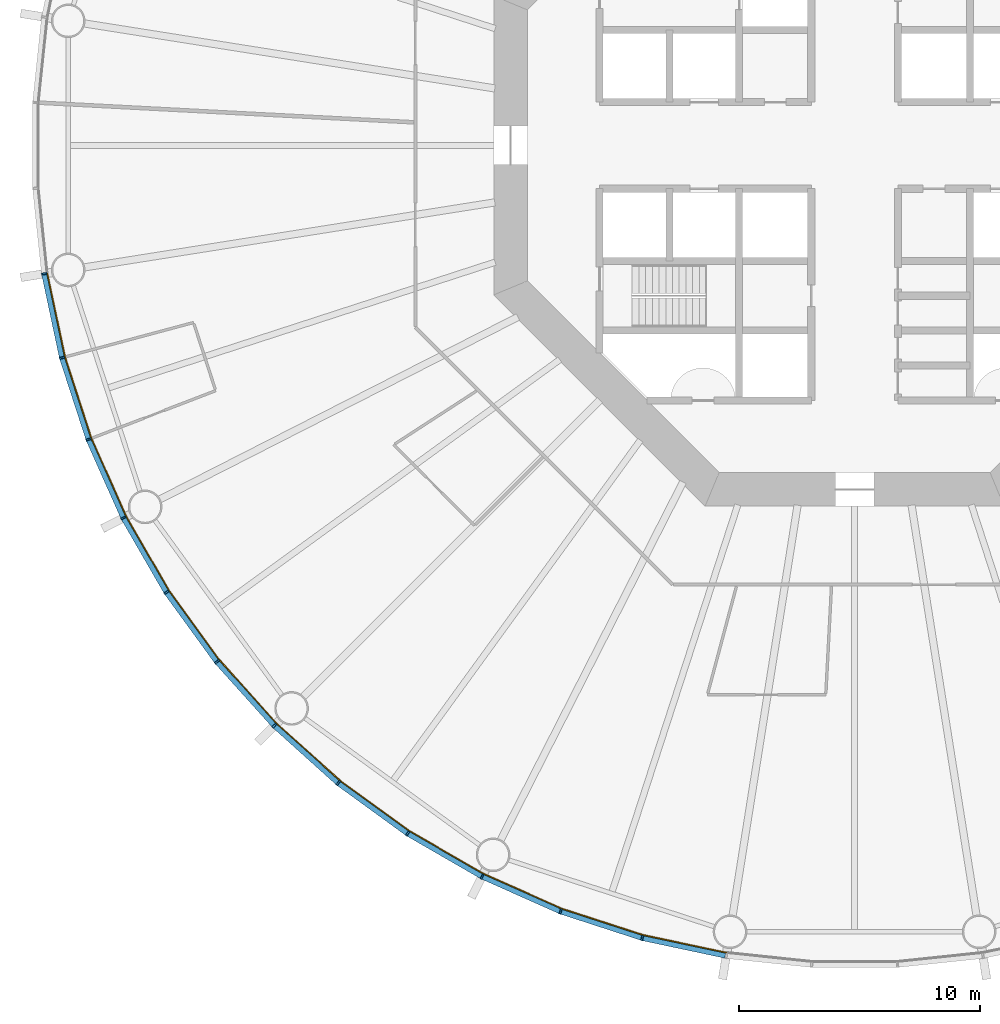
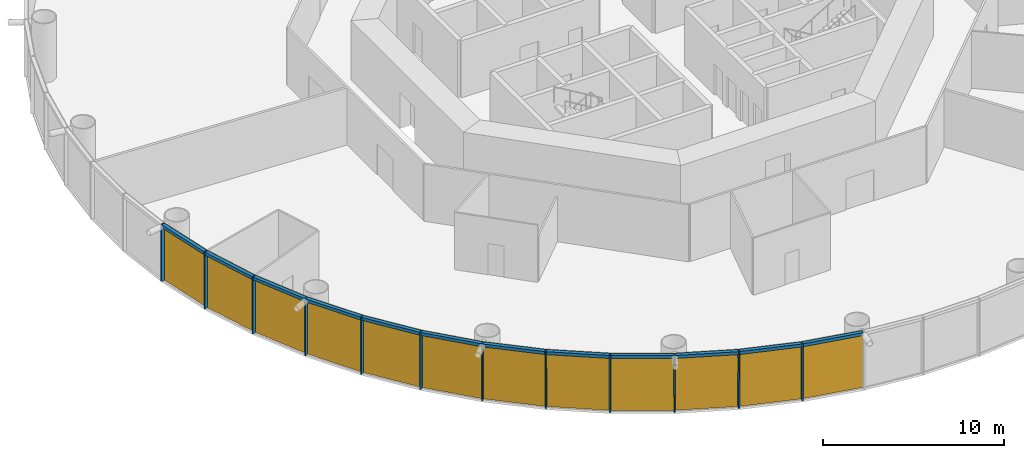
# One storey, part 7 of 13: 24 members, 4 curtain walls.
"""IFC4 building model written with IfcOpenShell, lengths in metres."""

from ifc_helpers import new_model, si_unit, direction, frame, origin, origin_2d, place, context, subcontext, project, spatial, polyline, rectangle, outline, extrude, material, layer, layer_set, material_profile, profile_set, type_object, element, aggregate, save


model = new_model("IFC4")

# Units and contexts
model_context = context("Model", 3, precision=1e-05, world=origin(), true_north=direction((0.0, 1.0)))
body_context = subcontext(model_context, "Body", "Model", "MODEL_VIEW")
ifc_project = project(units=[si_unit("LENGTHUNIT", "METRE"), si_unit("AREAUNIT", "SQUARE_METRE"), si_unit("VOLUMEUNIT", "CUBIC_METRE"), si_unit("PLANEANGLEUNIT", "RADIAN"), si_unit("MASSUNIT", "GRAM", prefix="KILO")], contexts=[model_context])

# Member
ifc_material_1 = material(Name="Anodised aluminium", Category="aluminium")
ifc_material_profile_1 = material_profile(ifc_material_1, rectangle(XDim=0.074951171875, YDim=0.219970703125, at=origin_2d()), Name="Mullion 75 x 220 mm anodised aluminium")
ifc_profile_set_1 = profile_set([ifc_material_profile_1], Name="Anodised aluminium")
member_type_1 = type_object("IfcMemberType", Name="Mullion 75 x 220 mm anodised aluminium", PredefinedType="MULLION", material=ifc_profile_set_1)
site_placement = place(None, origin())
building_placement = place(site_placement, origin())
storey_placement = place(building_placement, frame((0.0, 0.0, 50.0)))
member_1_placement = place(storey_placement, frame((56.31005859375, 74.6640625, 0.0), z_axis=(0.0, 0.0, 1.0), x_axis=(0.15643446504, -0.987688340595, 0.0)))
member_1 = element("IfcMember", 1, at=member_1_placement, type_object=member_type_1, Name="MULLION L10-30", PredefinedType="MULLION", context=body_context, shape_type="SweptSolid", body=[
    extrude(rectangle(XDim=0.074951171875, YDim=0.219970703125, at=origin_2d()), origin(), (0.0, 0.0, 1.0), 3.85009765625),
])

member_2_placement = place(storey_placement, frame((57.05224609375, 71.171630859375, 0.0), z_axis=(0.0, 0.0, 1.0), x_axis=(0.258819045103, -0.965925826289, 0.0)))
member_2 = element("IfcMember", 2, at=member_2_placement, type_object=member_type_1, Name="MULLION L10-31", PredefinedType="MULLION", context=body_context, shape_type="SweptSolid", body=[
    extrude(rectangle(XDim=0.074951171875, YDim=0.219970703125, at=origin_2d()), origin(), (0.0, 0.0, 1.0), 3.85009765625),
])

member_3_placement = place(storey_placement, frame((58.155517578125, 67.776123046875, 0.0), z_axis=(0.0, 0.0, 1.0), x_axis=(0.358367949545, -0.933580426497, 0.0)))
member_3 = element("IfcMember", 3, at=member_3_placement, type_object=member_type_1, Name="MULLION L10-32", PredefinedType="MULLION", context=body_context, shape_type="SweptSolid", body=[
    extrude(rectangle(XDim=0.074951171875, YDim=0.219970703125, at=origin_2d()), origin(), (0.0, 0.0, 1.0), 3.85009765625),
])

member_4_placement = place(storey_placement, frame((59.607666015625, 64.514404296875, 0.0), z_axis=(0.0, 0.0, 1.0), x_axis=(0.45399049974, -0.891006524188, 0.0)))
member_4 = element("IfcMember", 4, at=member_4_placement, type_object=member_type_1, Name="MULLION L10-33", PredefinedType="MULLION", context=body_context, shape_type="SweptSolid", body=[
    extrude(rectangle(XDim=0.074951171875, YDim=0.219970703125, at=origin_2d()), origin(), (0.0, 0.0, 1.0), 3.85009765625),
])

member_5_placement = place(storey_placement, frame((61.39306640625, 61.42236328125, 0.0), z_axis=(0.0, 0.0, 1.0), x_axis=(0.544639035015, -0.838670567945, 0.0)))
member_5 = element("IfcMember", 5, at=member_5_placement, type_object=member_type_1, Name="MULLION L10-34", PredefinedType="MULLION", context=body_context, shape_type="SweptSolid", body=[
    extrude(rectangle(XDim=0.074951171875, YDim=0.219970703125, at=origin_2d()), origin(), (0.0, 0.0, 1.0), 3.85009765625),
])

member_6_placement = place(storey_placement, frame((63.491455078125, 58.533935546875, 0.0), z_axis=(0.0, 0.0, 1.0), x_axis=(0.62932039105, -0.777145961457, 0.0)))
member_6 = element("IfcMember", 6, at=member_6_placement, type_object=member_type_1, Name="MULLION L10-35", PredefinedType="MULLION", context=body_context, shape_type="SweptSolid", body=[
    extrude(rectangle(XDim=0.074951171875, YDim=0.219970703125, at=origin_2d()), origin(), (0.0, 0.0, 1.0), 3.85009765625),
])

member_7_placement = place(storey_placement, frame((65.880615234375, 55.880615234375, 0.0), z_axis=(0.0, 0.0, 1.0), x_axis=(0.707106781187, -0.707106781187, 0.0)))
member_7 = element("IfcMember", 7, at=member_7_placement, type_object=member_type_1, Name="MULLION L10-36", PredefinedType="MULLION", context=body_context, shape_type="SweptSolid", body=[
    extrude(rectangle(XDim=0.074951171875, YDim=0.219970703125, at=origin_2d()), origin(), (0.0, 0.0, 1.0), 3.85009765625),
])

member_8_placement = place(storey_placement, frame((68.533935546875, 53.491455078125, 0.0), z_axis=(0.0, 0.0, 1.0), x_axis=(0.777145961457, -0.62932039105, 0.0)))
member_8 = element("IfcMember", 8, at=member_8_placement, type_object=member_type_1, Name="MULLION L10-37", PredefinedType="MULLION", context=body_context, shape_type="SweptSolid", body=[
    extrude(rectangle(XDim=0.074951171875, YDim=0.219970703125, at=origin_2d()), origin(), (0.0, 0.0, 1.0), 3.85009765625),
])

member_9_placement = place(storey_placement, frame((71.42236328125, 51.39306640625, 0.0), z_axis=(0.0, 0.0, 1.0), x_axis=(0.838670567945, -0.544639035015, 0.0)))
member_9 = element("IfcMember", 9, at=member_9_placement, type_object=member_type_1, Name="MULLION L10-38", PredefinedType="MULLION", context=body_context, shape_type="SweptSolid", body=[
    extrude(rectangle(XDim=0.074951171875, YDim=0.219970703125, at=origin_2d()), origin(), (0.0, 0.0, 1.0), 3.85009765625),
])

member_10_placement = place(storey_placement, frame((74.514404296875, 49.607666015625, 0.0), z_axis=(0.0, 0.0, 1.0), x_axis=(0.891006524188, -0.45399049974, 0.0)))
member_10 = element("IfcMember", 10, at=member_10_placement, type_object=member_type_1, Name="MULLION L10-39", PredefinedType="MULLION", context=body_context, shape_type="SweptSolid", body=[
    extrude(rectangle(XDim=0.074951171875, YDim=0.219970703125, at=origin_2d()), origin(), (0.0, 0.0, 1.0), 3.85009765625),
])

member_11_placement = place(storey_placement, frame((77.776123046875, 48.155517578125, 0.0), z_axis=(0.0, 0.0, 1.0), x_axis=(0.933580426497, -0.358367949545, 0.0)))
member_11 = element("IfcMember", 11, at=member_11_placement, type_object=member_type_1, Name="MULLION L10-40", PredefinedType="MULLION", context=body_context, shape_type="SweptSolid", body=[
    extrude(rectangle(XDim=0.074951171875, YDim=0.219970703125, at=origin_2d()), origin(), (0.0, 0.0, 1.0), 3.85009765625),
])

member_12_placement = place(storey_placement, frame((81.171630859375, 47.05224609375, 0.0), z_axis=(0.0, 0.0, 1.0), x_axis=(0.965925826289, -0.258819045103, 0.0)))
member_12 = element("IfcMember", 12, at=member_12_placement, type_object=member_type_1, Name="MULLION L10-41", PredefinedType="MULLION", context=body_context, shape_type="SweptSolid", body=[
    extrude(rectangle(XDim=0.074951171875, YDim=0.219970703125, at=origin_2d()), origin(), (0.0, 0.0, 1.0), 3.85009765625),
])

ifc_material_2 = material(Name="Anodised aluminium", Category="aluminium")
ifc_material_profile_2 = material_profile(ifc_material_2, rectangle(XDim=0.219970703125, YDim=0.199951171875, at=origin_2d()), Name="Transom 200 x 220 mm anodised aluminium")
ifc_profile_set_2 = profile_set([ifc_material_profile_2], Name="Anodised aluminium")
member_type_2 = type_object("IfcMemberType", Name="Transom 200 x 220 mm anodised aluminium", PredefinedType="USERDEFINED", material=ifc_profile_set_2)
member_13_placement = place(storey_placement, frame((56.31884765625, 74.62158203125, 3.75), z_axis=(0.207920776701, -0.978145669426, 0.0), x_axis=(0.978145669426, 0.207920776701, 0.0)))
member_13 = element("IfcMember", 13, at=member_13_placement, type_object=member_type_2, Name="TRANSOM L10-30", ObjectType="TRANSOM", PredefinedType="USERDEFINED", context=body_context, shape_type="SweptSolid", body=[
    extrude(rectangle(XDim=0.219970703125, YDim=0.199951171875, at=origin_2d()), origin(), (0.0, 0.0, 1.0), 3.48388671875),
])

member_14_placement = place(storey_placement, frame((57.0654296875, 71.130615234375, 3.75), z_axis=(0.309029029702, -0.951052605696, 0.0), x_axis=(0.951052605696, 0.309029029702, 0.0)))
member_14 = element("IfcMember", 14, at=member_14_placement, type_object=member_type_2, Name="TRANSOM L10-31", ObjectType="TRANSOM", PredefinedType="USERDEFINED", context=body_context, shape_type="SweptSolid", body=[
    extrude(rectangle(XDim=0.219970703125, YDim=0.199951171875, at=origin_2d()), origin(), (0.0, 0.0, 1.0), 3.484130859375),
])

member_15_placement = place(storey_placement, frame((58.173095703125, 67.736572265625, 3.75), z_axis=(0.406736576304, -0.913545487371, 0.0), x_axis=(0.913545487371, 0.406736576304, 0.0)))
member_15 = element("IfcMember", 15, at=member_15_placement, type_object=member_type_2, Name="TRANSOM L10-32", ObjectType="TRANSOM", PredefinedType="USERDEFINED", context=body_context, shape_type="SweptSolid", body=[
    extrude(rectangle(XDim=0.219970703125, YDim=0.199951171875, at=origin_2d()), origin(), (0.0, 0.0, 1.0), 3.48388671875),
])

member_16_placement = place(storey_placement, frame((59.629150390625, 64.476806640625, 3.75), z_axis=(0.500005538244, -0.866022206254, 0.0), x_axis=(0.866022206254, 0.500005538244, 0.0)))
member_16 = element("IfcMember", 16, at=member_16_placement, type_object=member_type_2, Name="TRANSOM L10-33", ObjectType="TRANSOM", PredefinedType="USERDEFINED", context=body_context, shape_type="SweptSolid", body=[
    extrude(rectangle(XDim=0.219970703125, YDim=0.199951171875, at=origin_2d()), origin(), (0.0, 0.0, 1.0), 3.48388671875),
])

member_17_placement = place(storey_placement, frame((61.418212890625, 61.38720703125, 3.75), z_axis=(0.587821627006, -0.80899056535, 0.0), x_axis=(0.80899056535, 0.587821627006, 0.0)))
member_17 = element("IfcMember", 17, at=member_17_placement, type_object=member_type_2, Name="TRANSOM L10-34", ObjectType="TRANSOM", PredefinedType="USERDEFINED", context=body_context, shape_type="SweptSolid", body=[
    extrude(rectangle(XDim=0.219970703125, YDim=0.199951171875, at=origin_2d()), origin(), (0.0, 0.0, 1.0), 3.48388671875),
])

member_18_placement = place(storey_placement, frame((63.520263671875, 58.501708984375, 3.75), z_axis=(0.669138930974, -0.743137329876, 0.0), x_axis=(0.743137329876, 0.669138930974, 0.0)))
member_18 = element("IfcMember", 18, at=member_18_placement, type_object=member_type_2, Name="TRANSOM L10-35", ObjectType="TRANSOM", PredefinedType="USERDEFINED", context=body_context, shape_type="SweptSolid", body=[
    extrude(rectangle(XDim=0.219970703125, YDim=0.199951171875, at=origin_2d()), origin(), (0.0, 0.0, 1.0), 3.484130859375),
])

member_19_placement = place(storey_placement, frame((65.91259765625, 55.8515625, 3.75), z_axis=(0.743137329876, -0.669138930974, 0.0), x_axis=(0.669138930974, 0.743137329876, 0.0)))
member_19 = element("IfcMember", 19, at=member_19_placement, type_object=member_type_2, Name="TRANSOM L10-36", ObjectType="TRANSOM", PredefinedType="USERDEFINED", context=body_context, shape_type="SweptSolid", body=[
    extrude(rectangle(XDim=0.219970703125, YDim=0.199951171875, at=origin_2d()), origin(), (0.0, 0.0, 1.0), 3.484130859375),
])

member_20_placement = place(storey_placement, frame((68.56884765625, 53.466064453125, 3.75), z_axis=(0.80899056535, -0.587821627006, 0.0), x_axis=(0.587821627006, 0.80899056535, 0.0)))
member_20 = element("IfcMember", 20, at=member_20_placement, type_object=member_type_2, Name="TRANSOM L10-37", ObjectType="TRANSOM", PredefinedType="USERDEFINED", context=body_context, shape_type="SweptSolid", body=[
    extrude(rectangle(XDim=0.219970703125, YDim=0.199951171875, at=origin_2d()), origin(), (0.0, 0.0, 1.0), 3.48388671875),
])

member_21_placement = place(storey_placement, frame((71.459716796875, 51.37109375, 3.75), z_axis=(0.866022206254, -0.500005538244, 0.0), x_axis=(0.500005538244, 0.866022206254, 0.0)))
member_21 = element("IfcMember", 21, at=member_21_placement, type_object=member_type_2, Name="TRANSOM L10-38", ObjectType="TRANSOM", PredefinedType="USERDEFINED", context=body_context, shape_type="SweptSolid", body=[
    extrude(rectangle(XDim=0.219970703125, YDim=0.199951171875, at=origin_2d()), origin(), (0.0, 0.0, 1.0), 3.48388671875),
])

member_22_placement = place(storey_placement, frame((74.553955078125, 49.590087890625, 3.75), z_axis=(0.913545487371, -0.406736576304, 0.0), x_axis=(0.406736576304, 0.913545487371, 0.0)))
member_22 = element("IfcMember", 22, at=member_22_placement, type_object=member_type_2, Name="TRANSOM L10-39", ObjectType="TRANSOM", PredefinedType="USERDEFINED", context=body_context, shape_type="SweptSolid", body=[
    extrude(rectangle(XDim=0.219970703125, YDim=0.199951171875, at=origin_2d()), origin(), (0.0, 0.0, 1.0), 3.48388671875),
])

member_23_placement = place(storey_placement, frame((77.817138671875, 48.14208984375, 3.75), z_axis=(0.951052605696, -0.309029029702, 0.0), x_axis=(0.309029029702, 0.951052605696, 0.0)))
member_23 = element("IfcMember", 23, at=member_23_placement, type_object=member_type_2, Name="TRANSOM L10-40", ObjectType="TRANSOM", PredefinedType="USERDEFINED", context=body_context, shape_type="SweptSolid", body=[
    extrude(rectangle(XDim=0.219970703125, YDim=0.199951171875, at=origin_2d()), origin(), (0.0, 0.0, 1.0), 3.484130859375),
])

member_24_placement = place(storey_placement, frame((81.2138671875, 47.043212890625, 3.75), z_axis=(0.978145669426, -0.207920776701, 0.0), x_axis=(0.207920776701, 0.978145669426, 0.0)))
member_24 = element("IfcMember", 24, at=member_24_placement, type_object=member_type_2, Name="TRANSOM L10-41", ObjectType="TRANSOM", PredefinedType="USERDEFINED", context=body_context, shape_type="SweptSolid", body=[
    extrude(rectangle(XDim=0.219970703125, YDim=0.199951171875, at=origin_2d()), origin(), (0.0, 0.0, 1.0), 3.48388671875),
])

# Site, building, storey
site = spatial("IfcSite", under=ifc_project, at=site_placement, CompositionType="ELEMENT")
building = spatial("IfcBuilding", under=site, at=building_placement, Name="Entoto Ring Tower", CompositionType="ELEMENT")
storey = spatial("IfcBuildingStorey", under=building, at=storey_placement, Name="L10", CompositionType="ELEMENT", Elevation=50.0)

# Curtain wall
ifc_material_3 = material(Name="Clear low-iron glass", Category="glass")
ifc_layer = layer(ifc_material_3, 0.0400390625)
ifc_layer_set = layer_set([ifc_layer], Name="Clear low-iron glass")
curtain_wall_type = type_object("IfcCurtainWallType", Name="Curtain wall system CW1 glazing 40 mm", PredefinedType="NOTDEFINED", material=ifc_layer_set)
curtain_wall_1_placement = place(storey_placement, origin())
curtain_wall_1 = element("IfcCurtainWall", 25, at=curtain_wall_1_placement, inside=storey, type_object=curtain_wall_type, Name="CW1 L10-11", PredefinedType="NOTDEFINED", context=body_context, shape_type="SweptSolid", body=[
    extrude(outline(polyline([(56.418701171875, 74.68115234375), (57.158447265625, 71.2001953125), (58.25830078125, 67.8154296875), (59.705810546875, 64.564208984375), (59.741455078125, 64.58251953125), (58.295654296875, 67.829833984375), (57.197265625, 71.21044921875), (56.458251953125, 74.6875), (56.418701171875, 74.68115234375)])), origin(), (0.0, 0.0, 1.0), 3.85009765625),
])

aggregate(curtain_wall_1, [member_1, member_2, member_3, member_13, member_14, member_15])

curtain_wall_2_placement = place(storey_placement, origin())
curtain_wall_2 = element("IfcCurtainWall", 26, at=curtain_wall_2_placement, inside=storey, type_object=curtain_wall_type, Name="CW1 L10-12", PredefinedType="NOTDEFINED", context=body_context, shape_type="SweptSolid", body=[
    extrude(outline(polyline([(59.705810546875, 64.564208984375), (61.485107421875, 61.482177734375), (63.5771484375, 58.60302734375), (65.958251953125, 55.958251953125), (65.986572265625, 55.986572265625), (63.608154296875, 58.62841796875), (61.518798828125, 61.504150390625), (59.741455078125, 64.58251953125), (59.705810546875, 64.564208984375)])), origin(), (0.0, 0.0, 1.0), 3.85009765625),
])

aggregate(curtain_wall_2, [member_4, member_5, member_6, member_16, member_17, member_18])

curtain_wall_3_placement = place(storey_placement, origin())
curtain_wall_3 = element("IfcCurtainWall", 27, at=curtain_wall_3_placement, inside=storey, type_object=curtain_wall_type, Name="CW1 L10-13", PredefinedType="NOTDEFINED", context=body_context, shape_type="SweptSolid", body=[
    extrude(outline(polyline([(65.958251953125, 55.958251953125), (68.60302734375, 53.5771484375), (71.482177734375, 51.485107421875), (74.564208984375, 49.705810546875), (74.58251953125, 49.741455078125), (71.504150390625, 51.518798828125), (68.62841796875, 53.608154296875), (65.986572265625, 55.986572265625), (65.958251953125, 55.958251953125)])), origin(), (0.0, 0.0, 1.0), 3.85009765625),
])

aggregate(curtain_wall_3, [member_7, member_8, member_9, member_19, member_20, member_21])

curtain_wall_4_placement = place(storey_placement, origin())
curtain_wall_4 = element("IfcCurtainWall", 28, at=curtain_wall_4_placement, inside=storey, type_object=curtain_wall_type, Name="CW1 L10-14", PredefinedType="NOTDEFINED", context=body_context, shape_type="SweptSolid", body=[
    extrude(outline(polyline([(74.564208984375, 49.705810546875), (77.8154296875, 48.25830078125), (81.2001953125, 47.158447265625), (84.68115234375, 46.418701171875), (84.6875, 46.458251953125), (81.21044921875, 47.197265625), (77.829833984375, 48.295654296875), (74.58251953125, 49.741455078125), (74.564208984375, 49.705810546875)])), origin(), (0.0, 0.0, 1.0), 3.85009765625),
])

aggregate(curtain_wall_4, [member_10, member_11, member_12, member_22, member_23, member_24])

save(model, "model.ifc")
